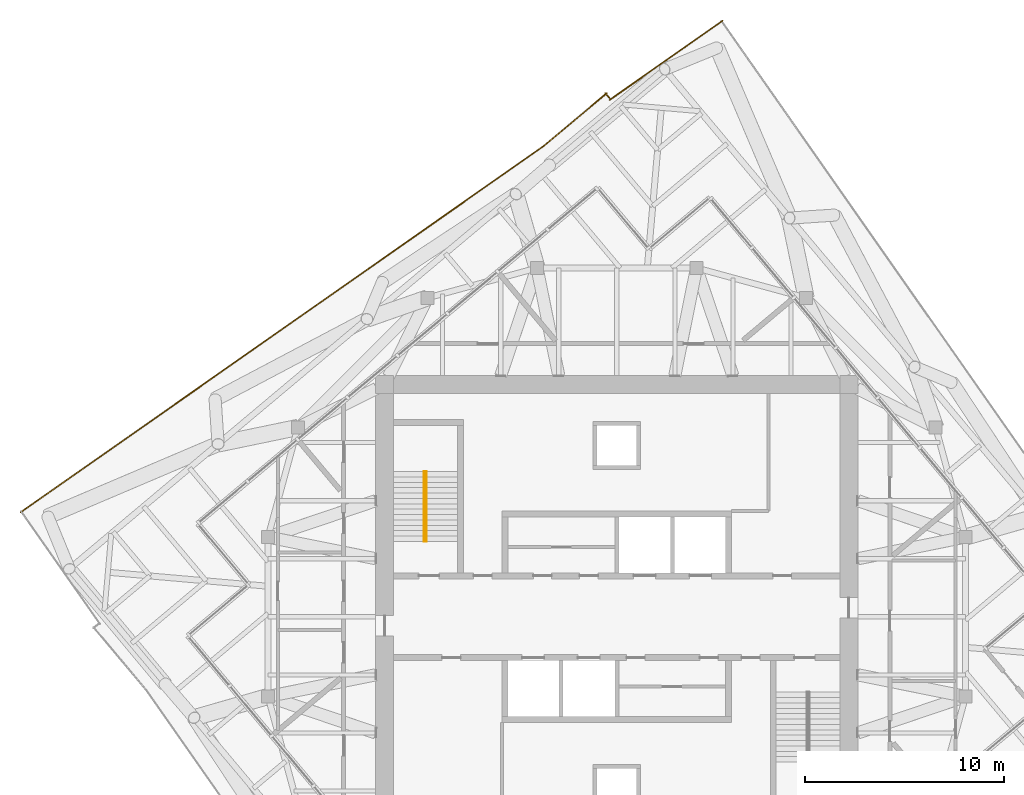
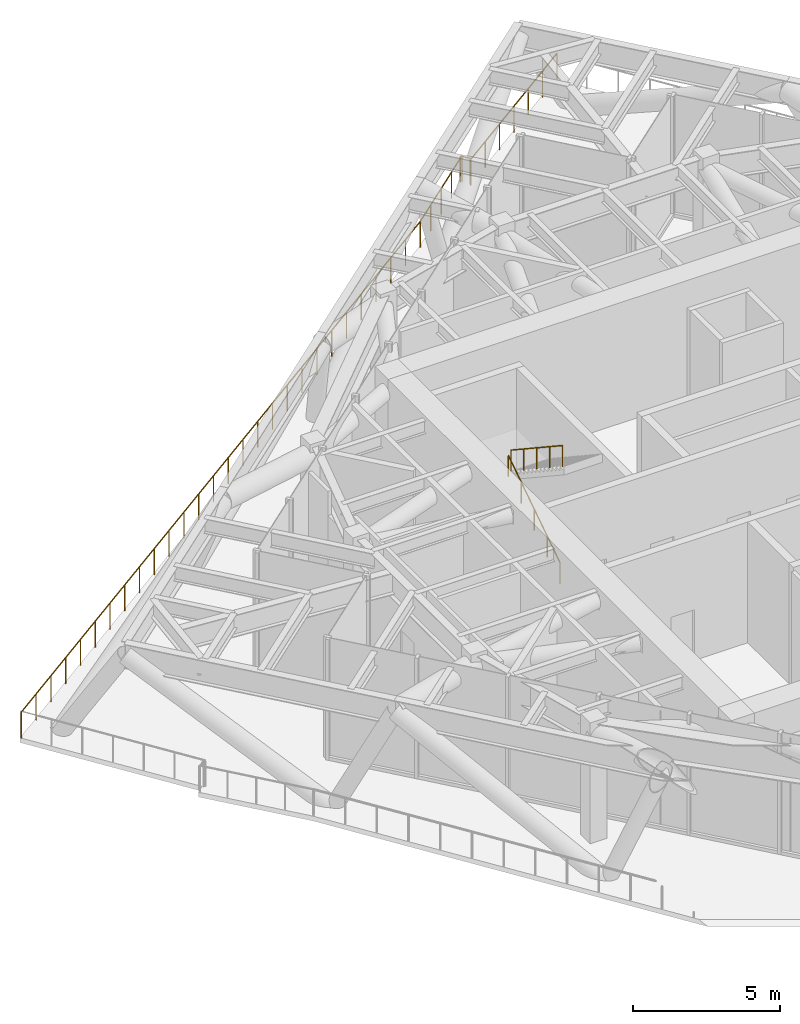
# One storey, part 14 of 15: 6 railings, 1 element without a shape of its own.
"""IFC4 building model written with IfcOpenShell, lengths in metres."""

from ifc_helpers import new_model, si_unit, direction, frame, origin, origin_2d, place, context, subcontext, project, spatial, circle, extrude, material, type_object, element, aggregate, save


model = new_model("IFC4")

# Units and contexts
model_context = context("Model", 3, precision=1e-05, world=origin(), true_north=direction((0.0, 1.0)))
body_context = subcontext(model_context, "Body", "Model", "MODEL_VIEW")
ifc_project = project(units=[si_unit("LENGTHUNIT", "METRE"), si_unit("AREAUNIT", "SQUARE_METRE"), si_unit("VOLUMEUNIT", "CUBIC_METRE"), si_unit("PLANEANGLEUNIT", "RADIAN"), si_unit("MASSUNIT", "GRAM", prefix="KILO")], contexts=[model_context])

# Site, building, storey
site_placement = place(None, origin())
site = spatial("IfcSite", under=ifc_project, at=site_placement, CompositionType="ELEMENT")
building_placement = place(site_placement, origin())
building = spatial("IfcBuilding", under=site, at=building_placement, Name="Torsade Residences", CompositionType="ELEMENT")
storey_placement = place(building_placement, frame((0.0, 0.0, 267.60009765625)))
storey = spatial("IfcBuildingStorey", under=building, at=storey_placement, Name="L74", CompositionType="ELEMENT", Elevation=267.60009765625)

# Railings
ifc_material_1 = material(Name="Galvanised steel guard rail", Category="steel")
railing_type_1 = type_object("IfcRailingType", Name="ROOF EDGE GUARD 1100", PredefinedType="GUARDRAIL", material=ifc_material_1)
railing_1_placement = place(storey_placement, frame((45.30859375, 59.902587890625, 0.0)))
element("IfcRailing", 1, at=railing_1_placement, inside=storey, type_object=railing_type_1, Name="Roof edge guard L74 8", PredefinedType="GUARDRAIL", context=body_context, shape_type="SweptSolid", body=[
    extrude(circle(Radius=0.02392578125, at=origin_2d()), frame((0.0, 0.0, 1.076171875), z_axis=(-0.819162196838, -0.573561936735, 0.0), x_axis=(0.573561936735, -0.819162196838, 0.0)), (0.0, 0.0, 1.0), 6.90966796875),
    extrude(circle(Radius=0.02099609375, at=origin_2d()), origin(), (0.0, 0.0, 1.0), 1.052001953125),
    extrude(circle(Radius=0.02099609375, at=origin_2d()), frame((-0.943359375, -0.66064453125, 0.0)), (0.0, 0.0, 1.0), 1.052001953125),
    extrude(circle(Radius=0.02099609375, at=origin_2d()), frame((-1.88671875, -1.321044921875, 0.0)), (0.0, 0.0, 1.0), 1.052001953125),
    extrude(circle(Radius=0.02099609375, at=origin_2d()), frame((-2.830078125, -1.9814453125, 0.0)), (0.0, 0.0, 1.0), 1.052001953125),
    extrude(circle(Radius=0.02099609375, at=origin_2d()), frame((-3.7734375, -2.64208984375, 0.0)), (0.0, 0.0, 1.0), 1.052001953125),
    extrude(circle(Radius=0.02099609375, at=origin_2d()), frame((-4.716796875, -3.302734375, 0.0)), (0.0, 0.0, 1.0), 1.052001953125),
    extrude(circle(Radius=0.02099609375, at=origin_2d()), frame((-5.66015625, -3.963134765625, 0.0)), (0.0, 0.0, 1.0), 1.052001953125),
])
railing_2_placement = place(storey_placement, frame((39.656494140625, 56.0009765625, 0.0)))
element("IfcRailing", 2, at=railing_2_placement, inside=storey, type_object=railing_type_1, Name="Roof edge guard L74 9", PredefinedType="GUARDRAIL", context=body_context, shape_type="SweptSolid", body=[
    extrude(circle(Radius=0.02392578125, at=origin_2d()), frame((0.0, 0.0, 1.076171875), z_axis=(-0.64257387482, 0.766223737167, 0.0), x_axis=(-0.766223737167, -0.64257387482, 0.0)), (0.0, 0.0, 1.0), 0.361328125),
    extrude(circle(Radius=0.02099609375, at=origin_2d()), origin(), (0.0, 0.0, 1.0), 1.052001953125),
    extrude(circle(Radius=0.02099609375, at=origin_2d()), frame((-0.232177734375, 0.27685546875, 0.0)), (0.0, 0.0, 1.0), 1.052001953125),
])
railing_3_placement = place(storey_placement, frame((39.49462890625, 56.271484375, 0.0)))
element("IfcRailing", 3, at=railing_3_placement, inside=storey, type_object=railing_type_1, Name="Roof edge guard L74 10", PredefinedType="GUARDRAIL", context=body_context, shape_type="SweptSolid", body=[
    extrude(circle(Radius=0.02392578125, at=origin_2d()), frame((0.0, 0.0, 1.076171875), z_axis=(-0.766049001605, -0.642782177056, 0.0), x_axis=(0.642782177056, -0.766049001605, 0.0)), (0.0, 0.0, 1.0), 4.135498046875),
    extrude(circle(Radius=0.02099609375, at=origin_2d()), origin(), (0.0, 0.0, 1.0), 1.052001953125),
    extrude(circle(Radius=0.02099609375, at=origin_2d()), frame((-0.7919921875, -0.66455078125, 0.0)), (0.0, 0.0, 1.0), 1.052001953125),
    extrude(circle(Radius=0.02099609375, at=origin_2d()), frame((-1.583984375, -1.3291015625, 0.0)), (0.0, 0.0, 1.0), 1.052001953125),
    extrude(circle(Radius=0.02099609375, at=origin_2d()), frame((-2.3759765625, -1.99365234375, 0.0)), (0.0, 0.0, 1.0), 1.052001953125),
    extrude(circle(Radius=0.02099609375, at=origin_2d()), frame((-3.16796875, -2.658203125, 0.0)), (0.0, 0.0, 1.0), 1.052001953125),
])
railing_4_placement = place(storey_placement, frame((36.32666015625, 53.613525390625, 0.0)))
element("IfcRailing", 4, at=railing_4_placement, inside=storey, type_object=railing_type_1, Name="Roof edge guard L74 11", PredefinedType="GUARDRAIL", context=body_context, shape_type="SweptSolid", body=[
    extrude(circle(Radius=0.02392578125, at=origin_2d()), frame((0.0, 0.0, 1.076171875), z_axis=(-0.819153861324, -0.573573841347, 0.0), x_axis=(0.573573841347, -0.819153861324, 0.0)), (0.0, 0.0, 1.0), 32.03515625),
    extrude(circle(Radius=0.02099609375, at=origin_2d()), origin(), (0.0, 0.0, 1.0), 1.052001953125),
    extrude(circle(Radius=0.02099609375, at=origin_2d()), frame((-0.971923828125, -0.680419921875, 0.0)), (0.0, 0.0, 1.0), 1.052001953125),
    extrude(circle(Radius=0.02099609375, at=origin_2d()), frame((-1.94384765625, -1.361083984375, 0.0)), (0.0, 0.0, 1.0), 1.052001953125),
    extrude(circle(Radius=0.02099609375, at=origin_2d()), frame((-2.915771484375, -2.04150390625, 0.0)), (0.0, 0.0, 1.0), 1.052001953125),
    extrude(circle(Radius=0.02099609375, at=origin_2d()), frame((-3.8876953125, -2.72216796875, 0.0)), (0.0, 0.0, 1.0), 1.052001953125),
    extrude(circle(Radius=0.02099609375, at=origin_2d()), frame((-4.859619140625, -3.402587890625, 0.0)), (0.0, 0.0, 1.0), 1.052001953125),
    extrude(circle(Radius=0.02099609375, at=origin_2d()), frame((-5.83154296875, -4.083251953125, 0.0)), (0.0, 0.0, 1.0), 1.052001953125),
    extrude(circle(Radius=0.02099609375, at=origin_2d()), frame((-6.803466796875, -4.763671875, 0.0)), (0.0, 0.0, 1.0), 1.052001953125),
    extrude(circle(Radius=0.02099609375, at=origin_2d()), frame((-7.775390625, -5.4443359375, 0.0)), (0.0, 0.0, 1.0), 1.052001953125),
    extrude(circle(Radius=0.02099609375, at=origin_2d()), frame((-8.747314453125, -6.124755859375, 0.0)), (0.0, 0.0, 1.0), 1.052001953125),
    extrude(circle(Radius=0.02099609375, at=origin_2d()), frame((-9.71923828125, -6.805419921875, 0.0)), (0.0, 0.0, 1.0), 1.052001953125),
    extrude(circle(Radius=0.02099609375, at=origin_2d()), frame((-10.691162109375, -7.48583984375, 0.0)), (0.0, 0.0, 1.0), 1.052001953125),
    extrude(circle(Radius=0.02099609375, at=origin_2d()), frame((-11.6630859375, -8.16650390625, 0.0)), (0.0, 0.0, 1.0), 1.052001953125),
    extrude(circle(Radius=0.02099609375, at=origin_2d()), frame((-12.635009765625, -8.846923828125, 0.0)), (0.0, 0.0, 1.0), 1.052001953125),
    extrude(circle(Radius=0.02099609375, at=origin_2d()), frame((-13.606689453125, -9.527587890625, 0.0)), (0.0, 0.0, 1.0), 1.052001953125),
    extrude(circle(Radius=0.02099609375, at=origin_2d()), frame((-14.57861328125, -10.2080078125, 0.0)), (0.0, 0.0, 1.0), 1.052001953125),
    extrude(circle(Radius=0.02099609375, at=origin_2d()), frame((-15.550537109375, -10.888671875, 0.0)), (0.0, 0.0, 1.0), 1.052001953125),
    extrude(circle(Radius=0.02099609375, at=origin_2d()), frame((-16.5224609375, -11.569091796875, 0.0)), (0.0, 0.0, 1.0), 1.052001953125),
    extrude(circle(Radius=0.02099609375, at=origin_2d()), frame((-17.494384765625, -12.249755859375, 0.0)), (0.0, 0.0, 1.0), 1.052001953125),
    extrude(circle(Radius=0.02099609375, at=origin_2d()), frame((-18.46630859375, -12.93017578125, 0.0)), (0.0, 0.0, 1.0), 1.052001953125),
    extrude(circle(Radius=0.02099609375, at=origin_2d()), frame((-19.438232421875, -13.61083984375, 0.0)), (0.0, 0.0, 1.0), 1.052001953125),
    extrude(circle(Radius=0.02099609375, at=origin_2d()), frame((-20.41015625, -14.291259765625, 0.0)), (0.0, 0.0, 1.0), 1.052001953125),
    extrude(circle(Radius=0.02099609375, at=origin_2d()), frame((-21.382080078125, -14.971923828125, 0.0)), (0.0, 0.0, 1.0), 1.052001953125),
    extrude(circle(Radius=0.02099609375, at=origin_2d()), frame((-22.35400390625, -15.65234375, 0.0)), (0.0, 0.0, 1.0), 1.052001953125),
    extrude(circle(Radius=0.02099609375, at=origin_2d()), frame((-23.325927734375, -16.3330078125, 0.0)), (0.0, 0.0, 1.0), 1.052001953125),
    extrude(circle(Radius=0.02099609375, at=origin_2d()), frame((-24.2978515625, -17.013427734375, 0.0)), (0.0, 0.0, 1.0), 1.052001953125),
    extrude(circle(Radius=0.02099609375, at=origin_2d()), frame((-25.269775390625, -17.694091796875, 0.0)), (0.0, 0.0, 1.0), 1.052001953125),
    extrude(circle(Radius=0.02099609375, at=origin_2d()), frame((-26.24169921875, -18.37451171875, 0.0)), (0.0, 0.0, 1.0), 1.052001953125),
])

# Stair, railings
ifc_material_2 = material(Name="Precast concrete 40 MPa", Category="concrete")
stair_type = type_object("IfcStairType", Name="HALF-TURN FIRE STAIR 1500x5000", PredefinedType="HALF_TURN_STAIR", material=ifc_material_2)
stair_placement = place(storey_placement, origin())
stair = element("IfcStair", 5, at=stair_placement, inside=storey, type_object=stair_type, Name="Stair ST1 L74", PredefinedType="HALF_TURN_STAIR")
ifc_material_3 = material(Name="Steel handrail", Category="steel")
railing_type_2 = type_object("IfcRailingType", Name="STAIR HANDRAIL 900", PredefinedType="HANDRAIL", material=ifc_material_3)
railing_5_placement = place(storey_placement, frame((30.35009765625, 33.780029296875, 0.178466796875)))
railing_5 = element("IfcRailing", 6, at=railing_5_placement, type_object=railing_type_2, Name="Handrail ST1 flight 1 L74", PredefinedType="HANDRAIL", context=body_context, shape_type="SweptSolid", body=[
    extrude(circle(Radius=0.02392578125, at=origin_2d()), frame((0.0, 0.0, 0.8759765625), z_axis=(0.0, 0.834070780157, 0.551657442339), x_axis=(-1.0, 0.0, 0.0)), (0.0, 0.0, 1.0), 4.208251953125),
    extrude(circle(Radius=0.02099609375, at=origin_2d()), origin(), (0.0, 0.0, 1.0), 0.851806640625),
    extrude(circle(Radius=0.02099609375, at=origin_2d()), frame((0.0, 0.87744140625, 0.580322265625)), (0.0, 0.0, 1.0), 0.851806640625),
    extrude(circle(Radius=0.02099609375, at=origin_2d()), frame((0.0, 1.7548828125, 1.16064453125)), (0.0, 0.0, 1.0), 0.851806640625),
    extrude(circle(Radius=0.02099609375, at=origin_2d()), frame((0.0, 2.632568359375, 1.7412109375)), (0.0, 0.0, 1.0), 0.851806640625),
    extrude(circle(Radius=0.02099609375, at=origin_2d()), frame((0.0, 3.510009765625, 2.321533203125)), (0.0, 0.0, 1.0), 0.851806640625),
])
railing_6_placement = place(storey_placement, frame((30.449951171875, 37.2900390625, 2.678466796875)))
railing_6 = element("IfcRailing", 7, at=railing_6_placement, type_object=railing_type_2, Name="Handrail ST1 flight 2 L74", PredefinedType="HANDRAIL", context=body_context, shape_type="SweptSolid", body=[
    extrude(circle(Radius=0.02392578125, at=origin_2d()), frame((0.0, 0.0, 0.8759765625), z_axis=(0.0, -0.834070780157, 0.551657442339), x_axis=(1.0, 0.0, 0.0)), (0.0, 0.0, 1.0), 4.208251953125),
    extrude(circle(Radius=0.02099609375, at=origin_2d()), origin(), (0.0, 0.0, 1.0), 0.851806640625),
    extrude(circle(Radius=0.02099609375, at=origin_2d()), frame((0.0, -0.87744140625, 0.580322265625)), (0.0, 0.0, 1.0), 0.851806640625),
    extrude(circle(Radius=0.02099609375, at=origin_2d()), frame((0.0, -1.7548828125, 1.16064453125)), (0.0, 0.0, 1.0), 0.851806640625),
    extrude(circle(Radius=0.02099609375, at=origin_2d()), frame((0.0, -2.632568359375, 1.7412109375)), (0.0, 0.0, 1.0), 0.851806640625),
    extrude(circle(Radius=0.02099609375, at=origin_2d()), frame((0.0, -3.510009765625, 2.321533203125)), (0.0, 0.0, 1.0), 0.851806640625),
])
aggregate(stair, [railing_5, railing_6])

save(model, "model.ifc")
